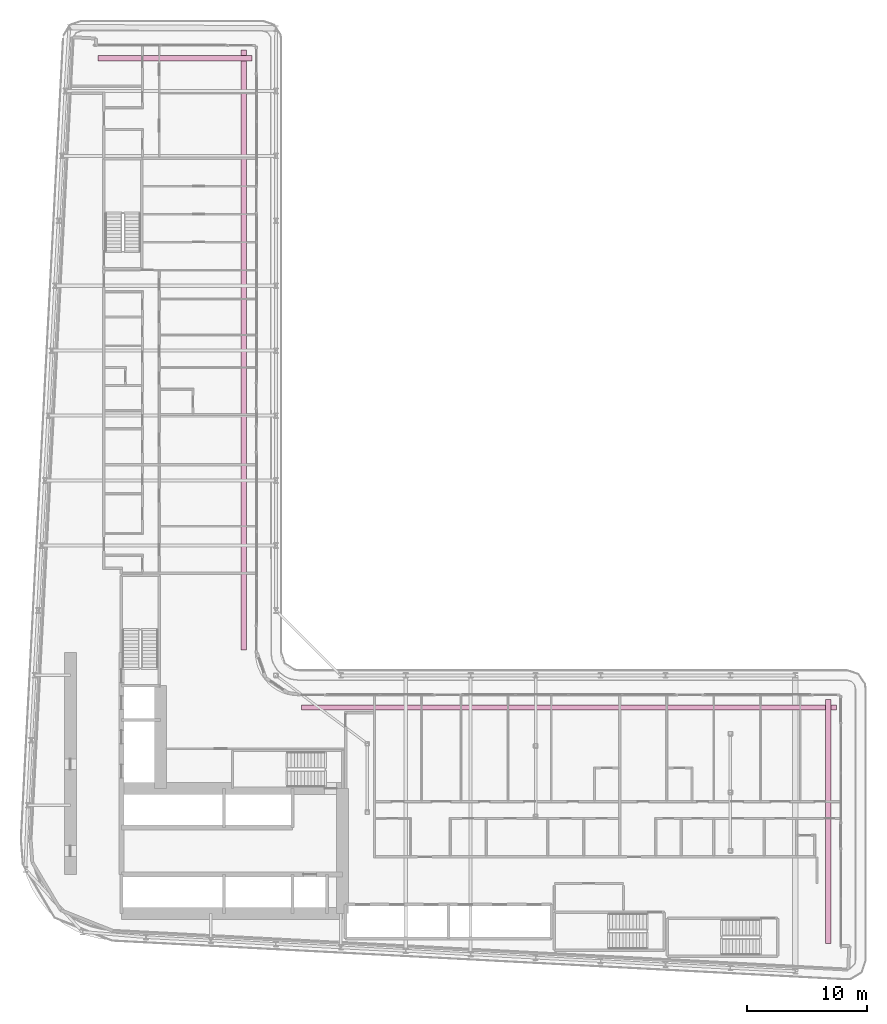
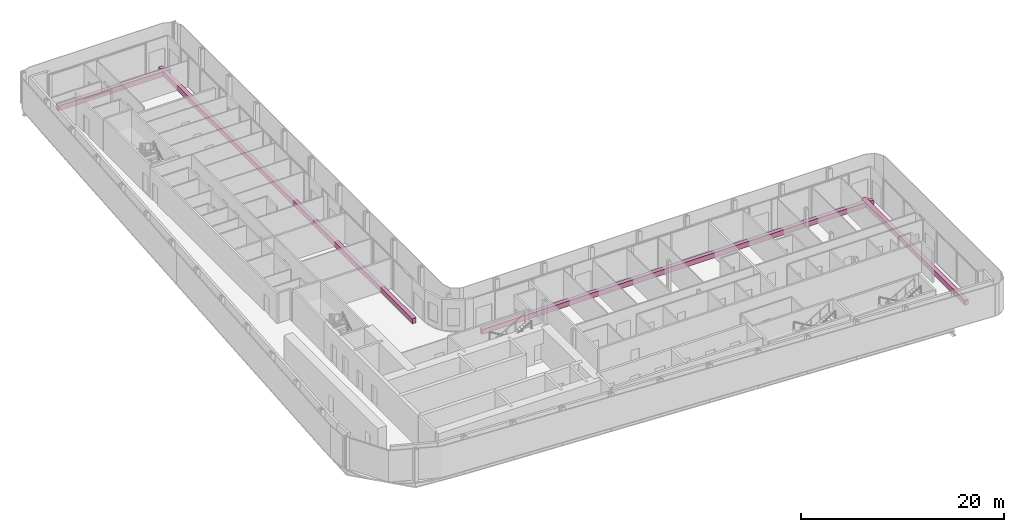
# One storey, part 27 of 27: 4 furniture elements.
"""IFC4 building model written with IfcOpenShell, lengths in metres."""

from ifc_helpers import new_model, si_unit, direction, frame, origin, origin_2d, place, context, subcontext, project, spatial, rectangle, extrude, material, type_object, element, save


model = new_model("IFC4")

# Units and contexts
model_context = context("Model", 3, precision=1e-05, world=origin(), true_north=direction((0.0, 1.0)))
body_context = subcontext(model_context, "Body", "Model", "MODEL_VIEW")
ifc_project = project(units=[si_unit("LENGTHUNIT", "METRE"), si_unit("AREAUNIT", "SQUARE_METRE"), si_unit("VOLUMEUNIT", "CUBIC_METRE"), si_unit("PLANEANGLEUNIT", "RADIAN"), si_unit("MASSUNIT", "GRAM", prefix="KILO")], contexts=[model_context])

# Site, building, storey
site_placement = place(None, origin())
site = spatial("IfcSite", under=ifc_project, at=site_placement, CompositionType="ELEMENT")
building_placement = place(site_placement, origin())
building = spatial("IfcBuilding", under=site, at=building_placement, Name="Kheshtan School and Residences Tower", CompositionType="ELEMENT")
storey_placement = place(building_placement, frame((0.0, 0.0, 50.0)))
storey = spatial("IfcBuildingStorey", under=building, at=storey_placement, Name="L11", CompositionType="ELEMENT", Elevation=50.0)

# Furniture
ifc_material = material(Name="Precast concrete C30/37 in terracotta finish", Category="masonry")
furniture_type = type_object("IfcFurnitureType", Name="Planter trough", AssemblyPlace="NOTDEFINED", PredefinedType="USERDEFINED", material=ifc_material)
furniture_1_placement = place(storey_placement, frame((39.196044921875, 96.925048828125, 0.0), z_axis=(0.0, 0.0, 1.0), x_axis=(1.0, 0.0, 0.0)))
element("IfcFurniture", 1, at=furniture_1_placement, inside=storey, type_object=furniture_type, Name="Planter L11", ObjectType="PLANTER", PredefinedType="USERDEFINED", context=body_context, shape_type="SweptSolid", body=[
    extrude(rectangle(XDim=12.80810546875, YDim=0.449951171875, at=origin_2d()), origin(), (0.0, 0.0, 1.0), 0.60009765625),
])
furniture_2_placement = place(storey_placement, frame((44.925048828125, 72.6650390625, 0.0), z_axis=(0.0, 0.0, 1.0), x_axis=(0.0, -1.0, 0.0)))
element("IfcFurniture", 2, at=furniture_2_placement, inside=storey, type_object=furniture_type, Name="Planter L11", ObjectType="PLANTER", PredefinedType="USERDEFINED", context=body_context, shape_type="SweptSolid", body=[
    extrude(rectangle(XDim=49.8701171875, YDim=0.449951171875, at=origin_2d()), origin(), (0.0, 0.0, 1.0), 0.60009765625),
])
furniture_3_placement = place(storey_placement, frame((71.965087890625, 42.925048828125, 0.0), z_axis=(0.0, 0.0, 1.0), x_axis=(1.0, 0.0, 0.0)))
element("IfcFurniture", 3, at=furniture_3_placement, inside=storey, type_object=furniture_type, Name="Planter L11", ObjectType="PLANTER", PredefinedType="USERDEFINED", context=body_context, shape_type="SweptSolid", body=[
    extrude(rectangle(XDim=44.469970703125, YDim=0.449951171875, at=origin_2d()), origin(), (0.0, 0.0, 1.0), 0.60009765625),
])
furniture_4_placement = place(storey_placement, frame((93.52490234375, 33.448974609375, 0.0), z_axis=(0.0, 0.0, 1.0), x_axis=(0.0, -1.0, 0.0)))
element("IfcFurniture", 4, at=furniture_4_placement, inside=storey, type_object=furniture_type, Name="Planter L11", ObjectType="PLANTER", PredefinedType="USERDEFINED", context=body_context, shape_type="SweptSolid", body=[
    extrude(rectangle(XDim=20.302001953125, YDim=0.449951171875, at=origin_2d()), origin(), (0.0, 0.0, 1.0), 0.60009765625),
])

save(model, "model.ifc")
